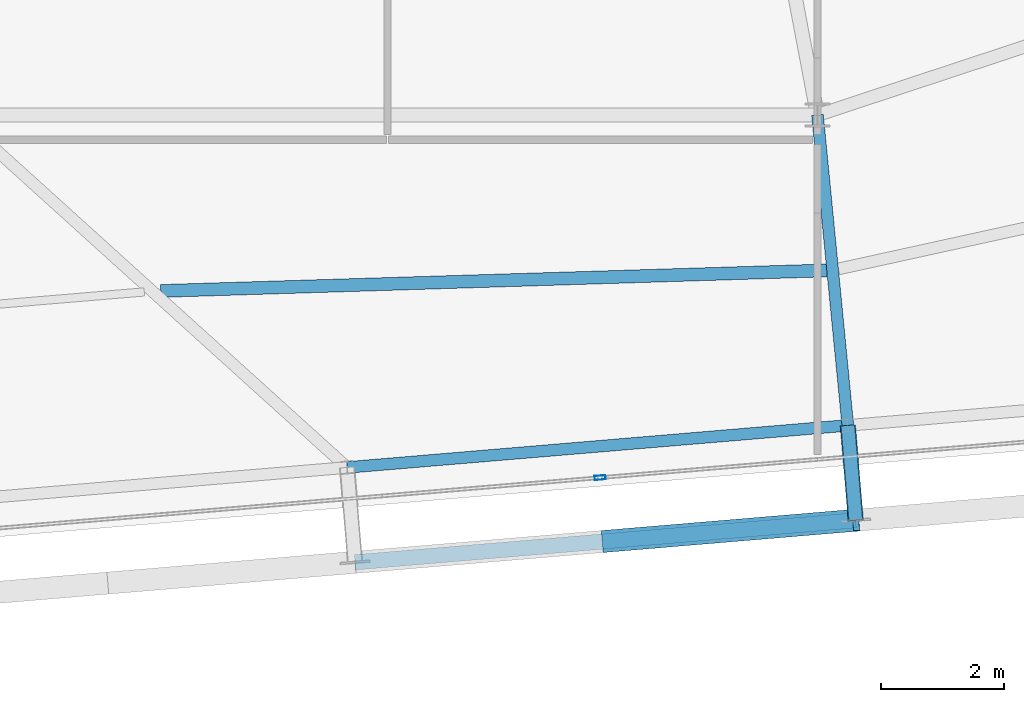
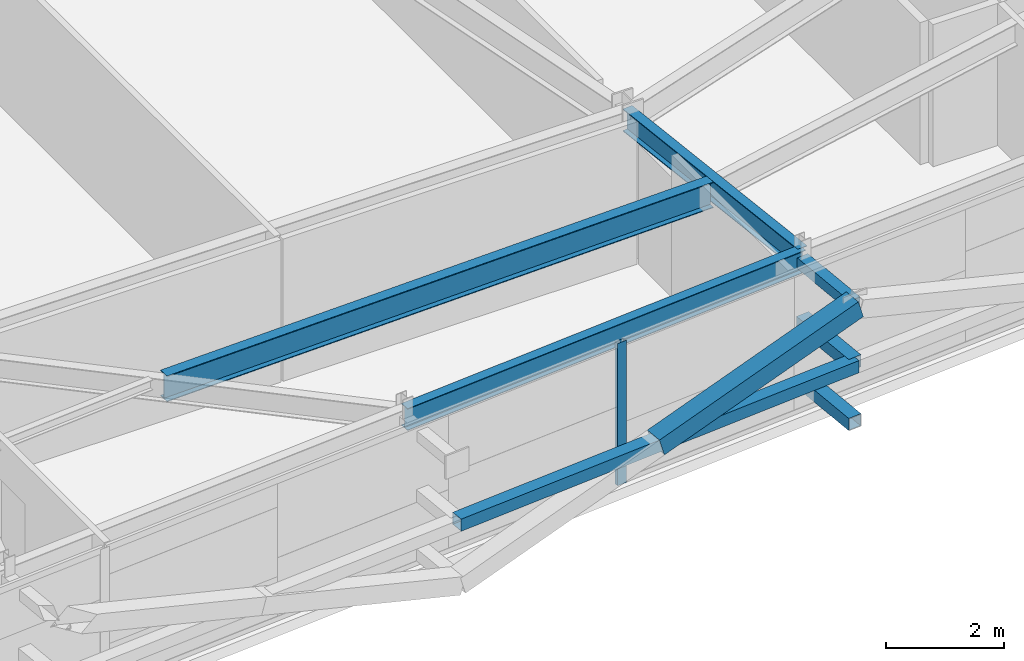
# One storey, part 10 of 37: 6 members, 3 beams, 1 element without a shape of its own.
"""IFC4 building model written with IfcOpenShell, lengths in metres."""

from ifc_helpers import new_model, si_unit, direction, frame, origin, origin_2d, place, context, subcontext, project, spatial, hollow_rectangle, i_section, extrude, source, transform, mapped, material, layer, layer_set, material_profile, profile_set, type_object, element, aggregate, save


model = new_model("IFC4")

# Units and contexts
model_context = context("Model", 3, precision=1e-05, world=origin(), true_north=direction((0.0, 1.0)))
body_context = subcontext(model_context, "Body", "Model", "MODEL_VIEW")
ifc_project = project(units=[si_unit("LENGTHUNIT", "METRE"), si_unit("AREAUNIT", "SQUARE_METRE"), si_unit("VOLUMEUNIT", "CUBIC_METRE"), si_unit("PLANEANGLEUNIT", "RADIAN"), si_unit("MASSUNIT", "GRAM", prefix="KILO")], contexts=[model_context])

# Site, building, storey
site_placement = place(None, origin())
site = spatial("IfcSite", under=ifc_project, at=site_placement, CompositionType="ELEMENT")
building_placement = place(site_placement, origin())
building = spatial("IfcBuilding", under=site, at=building_placement, Name="Taldren Reach Tower", CompositionType="ELEMENT")
storey_placement = place(building_placement, frame((0.0, 0.0, 172.550048828125)))
storey = spatial("IfcBuildingStorey", under=building, at=storey_placement, Name="L52", CompositionType="ELEMENT", Elevation=172.550048828125)

# Members
ifc_material_1 = material(Name="Steel Gr 350 (C350L0)", Category="steel")
ifc_material_profile_1 = material_profile(ifc_material_1, hollow_rectangle(XDim=0.25, YDim=0.25, WallThickness=0.010009765625, at=origin_2d()), Name="250x250x10.0SHS")
ifc_profile_set_1 = profile_set([ifc_material_profile_1], Name="Steel Gr 350 (C350L0)")
member_type_1 = type_object("IfcMemberType", Name="MB-POST250", PredefinedType="POST", material=ifc_profile_set_1)
shared_shape_1 = source(origin(), body_context, "Body", "SweptSolid", [
    extrude(hollow_rectangle(XDim=0.25, YDim=0.25, WallThickness=0.010009765625, at=origin_2d()), origin(), (0.0, 0.0, 1.0), 1.5498046875),
])
for number, where, z_axis, x_axis, name in (
    (1, (42.49365234375, 4.1474609375, 0.219970703125), (0.083645141657, -0.996495604746, 0.0), (0.996495604746, 0.083645141657, 0.0), "Exoskeleton base diaphragm tie strut B4-S4 L52"),
    (2, (42.49365234375, 4.1474609375, 1.43505859375), (0.083645141657, -0.996495604746, 0.0), (0.996495604746, 0.083645141657, 0.0), "Exoskeleton mid-tier diaphragm tie B4-S4 L52"),
):
    element("IfcMember", number, at=place(storey_placement, frame(where, z_axis=z_axis, x_axis=x_axis)), inside=storey, type_object=member_type_1, Name=name, PredefinedType="POST", context=body_context, shape_type="MappedRepresentation", body=[
        mapped(shared_shape_1, transform((0.0, 0.0, 0.0), scale=1.0)),
    ])

# Beams
ifc_material_2 = material(Name="Steel Gr 350 (350PLUS)", Category="steel")
ifc_material_profile_2 = material_profile(ifc_material_2, i_section(OverallWidth=0.18994140625, OverallDepth=0.4541015625, WebThickness=0.008544921875, FlangeThickness=0.0126953125, at=origin_2d()), Name="460UB67.1")
ifc_profile_set_2 = profile_set([ifc_material_profile_2], Name="Steel Gr 350 (350PLUS)")
beam_type_1 = type_object("IfcBeamType", Name="SP-UB460B", PredefinedType="SPANDREL", material=ifc_profile_set_2)
shared_shape_2 = source(origin(), body_context, "Body", "SweptSolid", [
    extrude(i_section(OverallWidth=0.18994140625, OverallDepth=0.4541015625, WebThickness=0.008544921875, FlangeThickness=0.0126953125, at=origin_2d()), origin(), (0.0, 0.0, 1.0), 8.18017578125),
])
beam_1_placement = place(storey_placement, frame((34.34228515625, 3.462890625, 2.702880859375), z_axis=(0.996492034688, 0.083687662192, 0.0), x_axis=(-0.083687662192, 0.996492034688, 0.0)))
element("IfcBeam", 3, at=beam_1_placement, inside=storey, type_object=beam_type_1, Name="Perimeter spandrel B4 S3-S4 L52", PredefinedType="SPANDREL", context=body_context, shape_type="MappedRepresentation", body=[
    mapped(shared_shape_2, transform((0.0, 0.0, 0.0), scale=1.0)),
])
ifc_material_profile_3 = material_profile(ifc_material_2, i_section(OverallWidth=0.19091796875, OverallDepth=0.4599609375, WebThickness=0.010009765625, FlangeThickness=0.01611328125, at=origin_2d()), Name="460UB82.1")
ifc_profile_set_3 = profile_set([ifc_material_profile_3], Name="Steel Gr 350 (350PLUS)")
beam_type_2 = type_object("IfcBeamType", Name="BM-UB460A", PredefinedType="BEAM", material=ifc_profile_set_3)
shared_shape_3 = source(origin(), body_context, "Body", "SweptSolid", [
    extrude(i_section(OverallWidth=0.19091796875, OverallDepth=0.4599609375, WebThickness=0.010009765625, FlangeThickness=0.01611328125, at=origin_2d()), origin(), (0.0, 0.0, 1.0), 5.07666015625),
])
beam_2_placement = place(storey_placement, frame((42.0, 9.199951171875, 2.699951171875), z_axis=(0.097241716644, -0.995260794236, 0.0), x_axis=(0.995260794236, 0.097241716644, 0.0)))
element("IfcBeam", 4, at=beam_2_placement, inside=storey, type_object=beam_type_2, Name="Primary floor girder B4-S4 L52", PredefinedType="BEAM", context=body_context, shape_type="MappedRepresentation", body=[
    mapped(shared_shape_3, transform((0.0, 0.0, 0.0), scale=1.0)),
])
ifc_material_profile_4 = material_profile(ifc_material_2, i_section(OverallWidth=0.208984375, OverallDepth=0.532958984375, WebThickness=0.01025390625, FlangeThickness=0.015625, at=origin_2d()), Name="530UB92.4")
ifc_profile_set_4 = profile_set([ifc_material_profile_4], Name="Steel Gr 350 (350PLUS)")
beam_type_3 = type_object("IfcBeamType", Name="BM-UB530A", PredefinedType="BEAM", material=ifc_profile_set_4)
shared_shape_4 = source(origin(), body_context, "Body", "SweptSolid", [
    extrude(i_section(OverallWidth=0.208984375, OverallDepth=0.532958984375, WebThickness=0.01025390625, FlangeThickness=0.015625, at=origin_2d()), origin(), (0.0, 0.0, 1.0), 10.847412109375),
])
beam_3_placement = place(storey_placement, frame((31.308837890625, 6.335693359375, 2.663330078125), z_axis=(0.999522428572, 0.030901695439, 0.0), x_axis=(-0.030901695439, 0.999522428572, 0.0)))
element("IfcBeam", 5, at=beam_3_placement, inside=storey, type_object=beam_type_3, Name="Secondary floor beam B4 J3 L52", PredefinedType="BEAM", context=body_context, shape_type="MappedRepresentation", body=[
    mapped(shared_shape_4, transform((0.0, 0.0, 0.0), scale=1.0)),
])

# Members
ifc_material_3 = material(Name="Steel Gr 450 (C450L0)", Category="steel")
ifc_material_profile_5 = material_profile(ifc_material_3, hollow_rectangle(XDim=0.219970703125, YDim=0.219970703125, WallThickness=0.00830078125, at=origin_2d()), Name="220x220x8.2SHS")
ifc_profile_set_5 = profile_set([ifc_material_profile_5], Name="Steel Gr 450 (C450L0)")
member_type_2 = type_object("IfcMemberType", Name="MB-TIE219", PredefinedType="STRUT", material=ifc_profile_set_5)
shared_shape_5 = source(origin(), body_context, "Body", "SweptSolid", [
    extrude(hollow_rectangle(XDim=0.219970703125, YDim=0.219970703125, WallThickness=0.00830078125, at=origin_2d()), origin(), (0.0, 0.0, 1.0), 1.5498046875),
])
member_1_placement = place(storey_placement, frame((42.49365234375, 4.1474609375, 2.64990234375), z_axis=(0.083645141657, -0.996495604746, 0.0), x_axis=(0.996495604746, 0.083645141657, 0.0)))
element("IfcMember", 6, at=member_1_placement, inside=storey, type_object=member_type_2, Name="Exoskeleton diaphragm tie strut B4-S4 L52", PredefinedType="STRUT", context=body_context, shape_type="MappedRepresentation", body=[
    mapped(shared_shape_5, transform((0.0, 0.0, 0.0), scale=1.0)),
])
shared_shape_6 = source(origin(), body_context, "Body", "SweptSolid", [
    extrude(hollow_rectangle(XDim=0.25, YDim=0.25, WallThickness=0.010009765625, at=origin_2d()), origin(), (0.0, 0.0, 1.0), 8.18017578125),
])
member_2_placement = place(storey_placement, frame((34.471923828125, 1.91845703125, 1.43505859375), z_axis=(0.996492034688, 0.083687662192, 0.0), x_axis=(-0.083687662192, 0.996492034688, 0.0)))
element("IfcMember", 7, at=member_2_placement, inside=storey, type_object=member_type_1, Name="Exoskeleton mid-height ring chord B4-S3 L52", PredefinedType="POST", context=body_context, shape_type="MappedRepresentation", body=[
    mapped(shared_shape_6, transform((0.0, 0.0, 0.0), scale=1.0)),
])
ifc_material_profile_6 = material_profile(ifc_material_3, hollow_rectangle(XDim=0.360107421875, YDim=0.360107421875, WallThickness=0.0126953125, at=origin_2d()), Name="360x360x12.7SHS")
ifc_profile_set_6 = profile_set([ifc_material_profile_6], Name="Steel Gr 450 (C450L0)")
member_type_3 = type_object("IfcMemberType", Name="MB-EXO356", PredefinedType="BRACE", material=ifc_profile_set_6)
shared_shape_7 = source(origin(), body_context, "Body", "SweptSolid", [
    extrude(hollow_rectangle(XDim=0.360107421875, YDim=0.360107421875, WallThickness=0.0126953125, at=origin_2d()), origin(), (0.0, 0.0, 1.0), 4.2666015625),
])
member_3_placement = place(storey_placement, frame((38.547607421875, 2.2607421875, 1.43505859375), z_axis=(0.955244723646, 0.080223619417, 0.284730906006), x_axis=(-0.083687662192, 0.996492034688, 0.0)))
element("IfcMember", 8, at=member_3_placement, inside=storey, type_object=member_type_3, Name="Exoskeleton Diagrid Brace B4-S3 L52", PredefinedType="BRACE", context=body_context, shape_type="MappedRepresentation", body=[
    mapped(shared_shape_7, transform((0.0, 0.0, 0.0), scale=1.0)),
])

# Curtain wall, member
ifc_material_4 = material(Name="Aluminium and Low-E Glass Unitised System", Category="aluminium")
ifc_layer = layer(ifc_material_4, 0.159912109375)
ifc_layer_set = layer_set([ifc_layer], Name="Aluminium and Low-E Glass Unitised System")
curtain_wall_type = type_object("IfcCurtainWallType", Name="CW-SYS-5", PredefinedType="NOTDEFINED", material=ifc_layer_set)
curtain_wall_placement = place(storey_placement, origin())
curtain_wall = element("IfcCurtainWall", 9, at=curtain_wall_placement, inside=storey, type_object=curtain_wall_type, Name="Unitised curtain wall CW-L52-S", PredefinedType="NOTDEFINED")
ifc_material_5 = material(Name="Anodised Aluminium 6063-T6", Category="aluminium")
ifc_material_profile_7 = material_profile(ifc_material_5, hollow_rectangle(XDim=0.070068359375, YDim=0.179931640625, WallThickness=0.00390625, at=origin_2d()), Name="ALU-180x70x4RHS")
ifc_profile_set_7 = profile_set([ifc_material_profile_7], Name="Anodised Aluminium 6063-T6")
member_type_4 = type_object("IfcMemberType", Name="CW-MUL-180", PredefinedType="MULLION", material=ifc_profile_set_7)
shared_shape_8 = source(origin(), body_context, "Body", "SweptSolid", [
    extrude(hollow_rectangle(XDim=0.070068359375, YDim=0.179931640625, WallThickness=0.00390625, at=origin_2d()), origin(), (0.0, 0.0, 1.0), 2.929931640625),
])
member_4_placement = place(storey_placement, frame((38.460693359375, 3.297119140625, 0.0), z_axis=(0.0, 0.0, 1.0), x_axis=(-0.083677894865, 0.996492854922, 0.0)))
member_4 = element("IfcMember", 10, at=member_4_placement, type_object=member_type_4, Name="CW-5 mullion 3", PredefinedType="MULLION", context=body_context, shape_type="MappedRepresentation", body=[
    mapped(shared_shape_8, transform((0.0, 0.0, 0.0), scale=1.0)),
])
aggregate(curtain_wall, [member_4])

save(model, "model.ifc")
